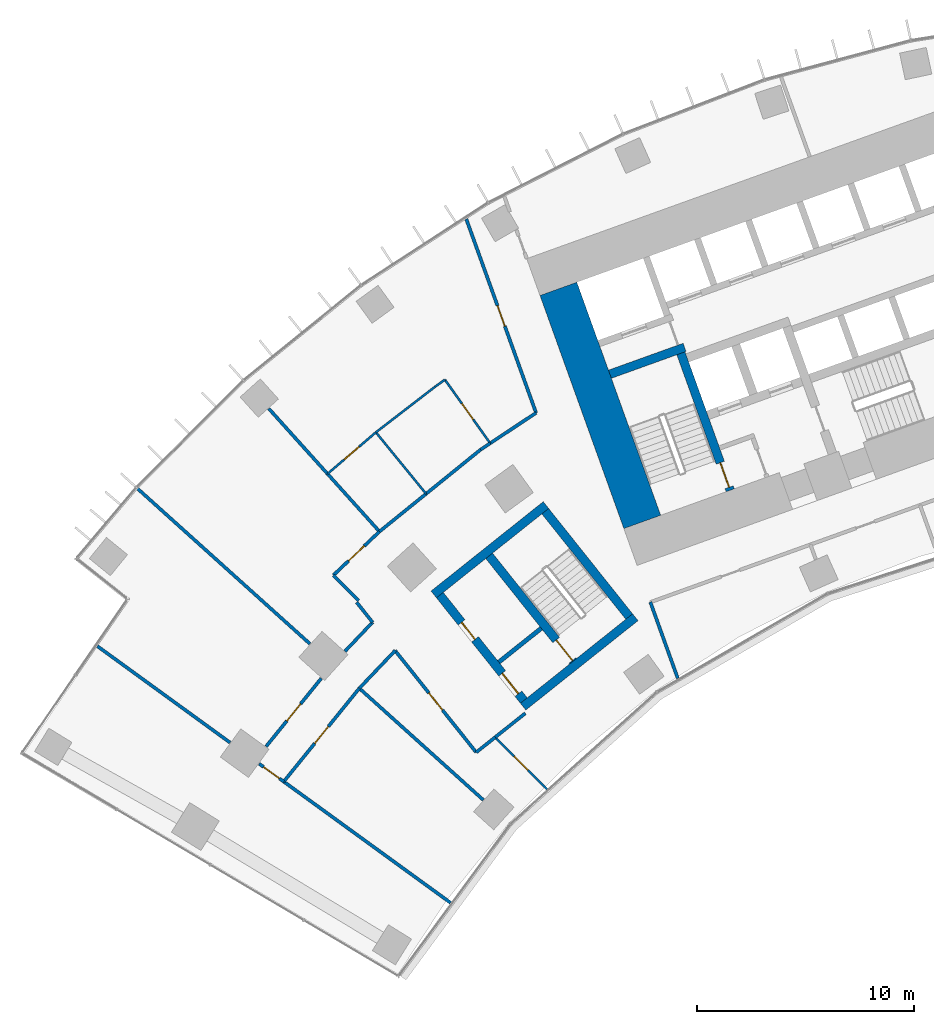
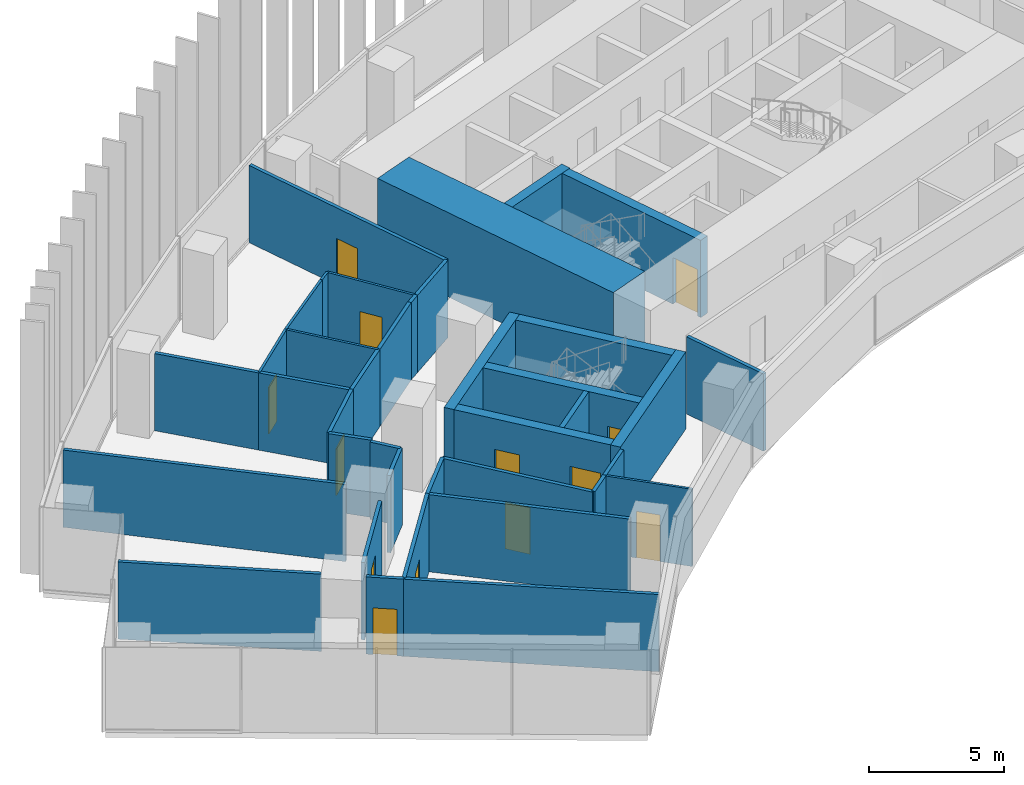
# One storey, part 17 of 24: 38 walls, 13 doors, 13 openings.
"""IFC4 building model written with IfcOpenShell, lengths in metres."""

import ifcopenshell
import ifcopenshell.guid

model = None  # the IFC model being written
_history = None  # IfcOwnerHistory: only IFC2X3 demands one
_inside = {}  # id of a spatial element -> (the spatial element, [elements in it])
_under = {}  # id of a project, library or spatial element -> (it, [spatial elements below it])
_declared = {}  # id of a project -> (the project, [libraries it declares])
_typed = {}  # id of a type object -> (the type object, [elements of that type])
_made_of = {}  # id of a material, layer set ... -> (it, [elements and type objects made of it])


def new_model(schema):
    """Start an empty IFC model of exactly this schema.

    Asked for "IFC4X3", IfcOpenShell would pick the latest addendum, in which some entities
    have other attributes; the version numbers below select the first issue.
    IFC2X3 requires an IfcOwnerHistory on every rooted entity: one is made here for all.
    """
    global model, _history
    if schema == "IFC4X3":
        model = ifcopenshell.file(schema_version=(4, 3, 0, 0))
    else:
        model = ifcopenshell.file(schema=schema)
    _inside.clear()
    _under.clear()
    _declared.clear()
    _typed.clear()
    _made_of.clear()
    _history = None
    if model.schema == "IFC2X3":
        org = make("IfcOrganization", Name="unknown")
        user = make(
            "IfcPersonAndOrganization",
            ThePerson=make("IfcPerson", FamilyName="unknown"),
            TheOrganization=org,
        )
        app = make(
            "IfcApplication",
            ApplicationDeveloper=org,
            Version="unknown",
            ApplicationFullName="unknown",
            ApplicationIdentifier="unknown",
        )
        _history = make(
            "IfcOwnerHistory",
            OwningUser=user,
            OwningApplication=app,
            ChangeAction="ADDED",
            CreationDate=0,
        )
    return model


def make(cls, **values):
    """One entity of the class cls with the attributes given. An attribute that is None is left unset."""
    return model.create_entity(
        cls, **{name: value for name, value in values.items() if value is not None}
    )


def rooted(cls, **values):
    """An entity with a GlobalId (a new one), such as an element, a storey or a relation."""
    return make(cls, GlobalId=ifcopenshell.guid.new(), OwnerHistory=_history, **values)


def si_unit(unit_type, name, prefix=None):
    """IfcSIUnit, for example si_unit("LENGTHUNIT", "METRE", prefix="MILLI")."""
    return make("IfcSIUnit", UnitType=unit_type, Prefix=prefix, Name=name)


def assignment(units):
    """IfcUnitAssignment: the units of a project."""
    return None if units is None else make("IfcUnitAssignment", Units=units)


def point(xyz):
    """IfcCartesianPoint."""
    return None if xyz is None else make("IfcCartesianPoint", Coordinates=xyz)


def direction(xyz):
    """IfcDirection."""
    return None if xyz is None else make("IfcDirection", DirectionRatios=xyz)


def frame(location, z_axis=None, x_axis=None):
    """IfcAxis2Placement3D, a coordinate frame: its origin and axes. An axis left out is left unset."""
    return make(
        "IfcAxis2Placement3D",
        Location=point(location),
        Axis=direction(z_axis),
        RefDirection=direction(x_axis),
    )


def frame_2d(location, x_axis=None):
    """IfcAxis2Placement2D, a coordinate frame in the plane: its origin and x axis."""
    return make(
        "IfcAxis2Placement2D", Location=point(location), RefDirection=direction(x_axis)
    )


def origin():
    """The frame at (0, 0, 0) with its axes left unset."""
    return frame((0.0, 0.0, 0.0))


def place(relative_to, where):
    """IfcLocalPlacement: puts the frame where relative to a parent placement (None: the world)."""
    return make(
        "IfcLocalPlacement", PlacementRelTo=relative_to, RelativePlacement=where
    )


def context(
    kind, dimensions, precision=None, world=None, true_north=None, identifier=None
):
    """IfcGeometricRepresentationContext, for example the 3D "Model" context."""
    return make(
        "IfcGeometricRepresentationContext",
        ContextIdentifier=identifier,
        ContextType=kind,
        CoordinateSpaceDimension=dimensions,
        Precision=precision,
        WorldCoordinateSystem=world,
        TrueNorth=true_north,
    )


def subcontext(parent, identifier, kind, view, scale=None):
    """IfcGeometricRepresentationSubContext, for example "Body" below "Model"."""
    return make(
        "IfcGeometricRepresentationSubContext",
        ContextIdentifier=identifier,
        ContextType=kind,
        ParentContext=parent,
        TargetScale=scale,
        TargetView=view,
    )


def project(units=None, contexts=None):
    """IfcProject with its units and contexts."""
    return rooted(
        "IfcProject",
        Name="project",
        RepresentationContexts=contexts,
        UnitsInContext=assignment(units),
    )


def spatial(cls, under=None, at=None, **own):
    """A site, building, storey or space (cls), placed at a placement, below another one or the project."""
    s = rooted(cls, ObjectPlacement=at, **own)
    if under is not None:
        _under.setdefault(under.id(), (under, []))[1].append(s)
    return s


def profile(cls, at=None, kind="AREA", **sizes):
    """A parametric profile (cls). Its sizes go by their IFC names, for example OverallWidth=200.0."""
    return make(cls, ProfileType=kind, Position=at, **sizes)


def rectangle(**sizes):
    """IfcRectangleProfileDef."""
    return profile("IfcRectangleProfileDef", **sizes)


def extrude(swept, where, along, depth):
    """IfcExtrudedAreaSolid: the profile swept, set in the frame where, extruded along a direction by depth."""
    return make(
        "IfcExtrudedAreaSolid",
        SweptArea=swept,
        Position=where,
        ExtrudedDirection=direction(along),
        Depth=depth,
    )


def shape(context_of_items, identifier, shape_type, items):
    """IfcShapeRepresentation: the items that make up one representation, for example the "Body"."""
    return make(
        "IfcShapeRepresentation",
        ContextOfItems=context_of_items,
        RepresentationIdentifier=identifier,
        RepresentationType=shape_type,
        Items=items,
    )


def material(Name=None, Category=None):
    """IfcMaterial."""
    return make("IfcMaterial", Name=Name, Category=Category)


def layer(
    of_material, thickness, ventilated=None, Name=None, Category=None, Priority=None
):
    """IfcMaterialLayer: one layer of a wall or slab, of a material (None: an air gap)."""
    return make(
        "IfcMaterialLayer",
        Material=of_material,
        LayerThickness=thickness,
        IsVentilated=ventilated,
        Name=Name,
        Category=Category,
        Priority=Priority,
    )


def layer_set(layers, Name=None):
    """IfcMaterialLayerSet."""
    return make("IfcMaterialLayerSet", MaterialLayers=layers, LayerSetName=Name)


def made_of(thing, what):
    """Note that an element or type object is made of a material, layer set ...; save() writes the relation."""
    if what is not None:
        _made_of.setdefault(what.id(), (what, []))[1].append(thing)
    return thing


def type_object(cls, material=None, **own):
    """A type object (cls), such as IfcWallType, which elements share."""
    return made_of(rooted(cls, **own), material)


def element(
    cls,
    number,
    at=None,
    inside=None,
    cuts=None,
    type_object=None,
    material=None,
    context=None,
    identifier="Body",
    shape_type=None,
    held_by="IfcProductDefinitionShape",
    body=None,
    shapes=None,
    **own,
):
    """One element of the class cls, such as IfcWall. Its Tag is "e" and its number.

    at: its placement. inside: the storey or other place that contains it. cuts: it is an
    opening in that element (IfcRelVoidsElement). A single representation is given by context,
    identifier, shape_type and body (its items); several are given by shapes. held_by: the class
    of the entity that holds the representations. save() writes the other relations.
    """
    e = rooted(cls, Tag="e%d" % number, ObjectPlacement=at, **own)
    if body is not None:
        shapes = [shape(context, identifier, shape_type, body)]
    if shapes is not None:
        e.Representation = make(held_by, Representations=shapes)
    if inside is not None:
        _inside.setdefault(inside.id(), (inside, []))[1].append(e)
    if cuts is not None:
        rooted(
            "IfcRelVoidsElement", RelatingBuildingElement=cuts, RelatedOpeningElement=e
        )
    if type_object is not None:
        _typed.setdefault(type_object.id(), (type_object, []))[1].append(e)
    return made_of(e, material)


def fill(opening, filler):
    """IfcRelFillsElement: the door or window that sits in an opening."""
    return rooted(
        "IfcRelFillsElement",
        RelatingOpeningElement=opening,
        RelatedBuildingElement=filler,
    )


def aggregate(whole, parts):
    """IfcRelAggregates: a whole, such as a stair, and the parts it consists of."""
    return rooted("IfcRelAggregates", RelatingObject=whole, RelatedObjects=parts)


def save(model, path):
    """Write the relations noted so far, then the file.

    IfcRelAggregates (storeys below a building ...), IfcRelContainedInSpatialStructure (elements
    in a storey), IfcRelDefinesByType, IfcRelAssociatesMaterial and IfcRelDeclares: one each for
    every whole, place, type object, material and project.
    """
    for whole, parts in _under.values():
        aggregate(whole, parts)
    for where, things in _inside.values():
        rooted(
            "IfcRelContainedInSpatialStructure",
            RelatedElements=things,
            RelatingStructure=where,
        )
    for kind, things in _typed.values():
        rooted("IfcRelDefinesByType", RelatedObjects=things, RelatingType=kind)
    for what, things in _made_of.values():
        rooted("IfcRelAssociatesMaterial", RelatedObjects=things, RelatingMaterial=what)
    for by, libraries in _declared.values():
        rooted("IfcRelDeclares", RelatingContext=by, RelatedDefinitions=libraries)
    model.write(path)


model = new_model("IFC4")

# Units and contexts
model_context = context("Model", 3, precision=1e-05, world=origin(), true_north=direction((0.0, 1.0)))
body_context = subcontext(model_context, "Body", "Model", "MODEL_VIEW")
ifc_project = project(units=[si_unit("LENGTHUNIT", "METRE"), si_unit("AREAUNIT", "SQUARE_METRE"), si_unit("VOLUMEUNIT", "CUBIC_METRE"), si_unit("PLANEANGLEUNIT", "RADIAN"), si_unit("MASSUNIT", "GRAM", prefix="KILO")], contexts=[model_context])

# Site, building, storey
site_placement = place(None, origin())
site = spatial("IfcSite", under=ifc_project, at=site_placement, CompositionType="ELEMENT")
building_placement = place(site_placement, origin())
building = spatial("IfcBuilding", under=site, at=building_placement, Name="Stone Belt Terrace Tower", CompositionType="ELEMENT")
storey_placement = place(building_placement, frame((0.0, 0.0, 41.39990234375)))
storey = spatial("IfcBuildingStorey", under=building, at=storey_placement, Name="L09", CompositionType="ELEMENT", Elevation=41.39990234375)

# Wall
ifc_material_1 = material(Name="Concrete B80", Category="concrete")
ifc_layer_1 = layer(ifc_material_1, 1.800048828125)
ifc_layer_set_1 = layer_set([ifc_layer_1], Name="Core wall 1800 B80")
wall_type_1 = type_object("IfcWallType", Name="Core wall 1800 B80", PredefinedType="SHEAR", material=ifc_layer_set_1)
wall_1_placement = place(storey_placement, frame((-26.197509765625, 42.96728515625, 0.0), z_axis=(0.0, 0.0, 1.0), x_axis=(-0.338625431531, 0.940921259788, 0.0)))
element("IfcWall", 1, at=wall_1_placement, inside=storey, type_object=wall_type_1, Name="Core A wall end_a L09", PredefinedType="SHEAR", context=body_context, shape_type="SweptSolid", body=[
    extrude(rectangle(XDim=11.400146484375, YDim=1.800048828125, at=frame_2d((5.7001953125, 0.0))), origin(), (0.0, 0.0, 1.0), 3.800048828125),
])

# Wall, opening, door
ifc_material_2 = material(Name="Gypsum board partition")
ifc_layer_2 = layer(ifc_material_2, 0.10009765625)
ifc_layer_set_2 = layer_set([ifc_layer_2], Name="PARTITION 100")
wall_type_2 = type_object("IfcWallType", Name="PARTITION 100", PredefinedType="PARTITIONING", material=ifc_layer_set_2)
wall_2_placement = place(storey_placement, frame((-32.968017578125, 33.06005859375, 0.0), z_axis=(0.0, 0.0, 1.0), x_axis=(0.706309715327, -0.707902949587, 0.0)))
wall_2 = element("IfcWall", 2, at=wall_2_placement, inside=storey, type_object=wall_type_2, Name="L09/wall/i051", PredefinedType="PARTITIONING", context=body_context, shape_type="SweptSolid", body=[
    extrude(rectangle(XDim=3.37109375, YDim=0.10009765625, at=frame_2d((1.685546875, 0.0))), origin(), (0.0, 0.0, 1.0), 3.47998046875),
])
opening_1_placement = place(wall_2_placement, frame((1.235595703125, 0.0, 0.0)))
opening_1 = element("IfcOpeningElement", 3, at=opening_1_placement, cuts=wall_2, Name="Opening D-A2-13", PredefinedType="OPENING", context=body_context, shape_type="SweptSolid", body=[
    extrude(rectangle(XDim=0.89990234375, YDim=2.10009765625, at=frame_2d((0.449951171875, 1.050048828125))), frame((0.0, 0.06005859375, 0.0), z_axis=(0.0, -1.0, 0.0), x_axis=(1.0, 0.0, 0.0)), (0.0, 0.0, 1.0), 0.1201171875),
])
ifc_material_3 = material(Name="Timber door leaf", Category="wood")
door_type_1 = type_object("IfcDoorType", Name="OFFICE DOOR 900 X 2100", OperationType="NOTDEFINED", PredefinedType="DOOR", material=ifc_material_3)
door_1_placement = place(opening_1_placement, origin())
door_1 = element("IfcDoor", 4, at=door_1_placement, inside=storey, type_object=door_type_1, Name="L09/door/i13", OperationType="SINGLE_SWING_RIGHT", OverallHeight=2.10009765625, OverallWidth=0.89990234375, PredefinedType="DOOR", context=body_context, shape_type="SweptSolid", body=[
    extrude(rectangle(XDim=0.89990234375, YDim=2.10009765625, at=frame_2d((0.449951171875, 1.050048828125))), frame((0.0, 0.02490234375, 0.0), z_axis=(0.0, -1.0, 0.0), x_axis=(1.0, 0.0, 0.0)), (0.0, 0.0, 1.0), 0.050048828125),
])
fill(opening_1, door_1)

wall_3_placement = place(storey_placement, frame((-38.4560546875, 47.091064453125, 0.0), z_axis=(0.0, 0.0, 1.0), x_axis=(-0.759033239133, -0.651051873426, 0.0)))
wall_3 = element("IfcWall", 5, at=wall_3_placement, inside=storey, type_object=wall_type_2, Name="L09/wall/i053", PredefinedType="PARTITIONING", context=body_context, shape_type="SweptSolid", body=[
    extrude(rectangle(XDim=2.932373046875, YDim=0.10009765625, at=frame_2d((1.46630859375, 0.0))), origin(), (0.0, 0.0, 1.0), 3.47998046875),
])
opening_2_placement = place(wall_3_placement, frame((1.01611328125, 0.0, 0.0)))
opening_2 = element("IfcOpeningElement", 6, at=opening_2_placement, cuts=wall_3, Name="Opening D-A2-16", PredefinedType="OPENING", context=body_context, shape_type="SweptSolid", body=[
    extrude(rectangle(XDim=0.89990234375, YDim=2.10009765625, at=frame_2d((0.449951171875, 1.050048828125))), frame((0.0, 0.06005859375, 0.0), z_axis=(0.0, -1.0, 0.0), x_axis=(1.0, 0.0, 0.0)), (0.0, 0.0, 1.0), 0.1201171875),
])
door_2_placement = place(opening_2_placement, origin())
door_2 = element("IfcDoor", 7, at=door_2_placement, inside=storey, type_object=door_type_1, Name="L09/door/i16", OperationType="SINGLE_SWING_RIGHT", OverallHeight=2.10009765625, OverallWidth=0.89990234375, PredefinedType="DOOR", context=body_context, shape_type="SweptSolid", body=[
    extrude(rectangle(XDim=0.89990234375, YDim=2.10009765625, at=frame_2d((0.449951171875, 1.050048828125))), frame((0.0, 0.02490234375, 0.0), z_axis=(0.0, -1.0, 0.0), x_axis=(1.0, 0.0, 0.0)), (0.0, 0.0, 1.0), 0.050048828125),
])
fill(opening_2, door_2)

wall_4_placement = place(storey_placement, frame((-33.196044921875, 46.587890625, 0.0), z_axis=(0.0, 0.0, 1.0), x_axis=(-0.580305775044, 0.814398678443, 0.0)))
wall_4 = element("IfcWall", 8, at=wall_4_placement, inside=storey, type_object=wall_type_2, Name="L09/wall/i054", PredefinedType="PARTITIONING", context=body_context, shape_type="SweptSolid", body=[
    extrude(rectangle(XDim=3.5927734375, YDim=0.10009765625, at=frame_2d((1.79638671875, 0.0))), origin(), (0.0, 0.0, 1.0), 3.47998046875),
])
opening_3_placement = place(wall_4_placement, frame((1.346435546875, 0.0, 0.0)))
opening_3 = element("IfcOpeningElement", 9, at=opening_3_placement, cuts=wall_4, Name="Opening D-A2-17", PredefinedType="OPENING", context=body_context, shape_type="SweptSolid", body=[
    extrude(rectangle(XDim=0.89990234375, YDim=2.10009765625, at=frame_2d((0.449951171875, 1.050048828125))), frame((0.0, 0.06005859375, 0.0), z_axis=(0.0, -1.0, 0.0), x_axis=(1.0, 0.0, 0.0)), (0.0, 0.0, 1.0), 0.1201171875),
])
door_3_placement = place(opening_3_placement, origin())
door_3 = element("IfcDoor", 10, at=door_3_placement, inside=storey, type_object=door_type_1, Name="L09/door/i17", OperationType="SINGLE_SWING_RIGHT", OverallHeight=2.10009765625, OverallWidth=0.89990234375, PredefinedType="DOOR", context=body_context, shape_type="SweptSolid", body=[
    extrude(rectangle(XDim=0.89990234375, YDim=2.10009765625, at=frame_2d((0.449951171875, 1.050048828125))), frame((0.0, 0.02490234375, 0.0), z_axis=(0.0, -1.0, 0.0), x_axis=(1.0, 0.0, 0.0)), (0.0, 0.0, 1.0), 0.050048828125),
])
fill(opening_3, door_3)

# Walls
wall_5_placement = place(storey_placement, frame((-35.281005859375, 49.513916015625, 0.0), z_axis=(0.0, 0.0, 1.0), x_axis=(-0.81217021328, -0.58342055557, 0.0)))
element("IfcWall", 11, at=wall_5_placement, inside=storey, type_object=wall_type_2, Name="L09/wall/i055", PredefinedType="PARTITIONING", context=body_context, shape_type="SweptSolid", body=[
    extrude(rectangle(XDim=0.560302734375, YDim=0.10009765625, at=frame_2d((0.2802734375, 0.0))), origin(), (0.0, 0.0, 1.0), 3.47998046875),
])
wall_6_placement = place(storey_placement, frame((-35.736083984375, 49.18701171875, 0.0), z_axis=(0.0, 0.0, 1.0), x_axis=(-0.792108307921, -0.610380560407, 0.0)))
element("IfcWall", 12, at=wall_6_placement, inside=storey, type_object=wall_type_2, Name="L09/wall/i056", PredefinedType="PARTITIONING", context=body_context, shape_type="SweptSolid", body=[
    extrude(rectangle(XDim=3.433837890625, YDim=0.10009765625, at=frame_2d((1.716796875, 0.0))), origin(), (0.0, 0.0, 1.0), 3.47998046875),
])
wall_7_placement = place(storey_placement, frame((-38.4560546875, 47.091064453125, 0.0), z_axis=(0.0, 0.0, 1.0), x_axis=(0.632604088354, -0.774475349767, 0.0)))
element("IfcWall", 13, at=wall_7_placement, inside=storey, type_object=wall_type_2, Name="L09/wall/i058", PredefinedType="PARTITIONING", context=body_context, shape_type="SweptSolid", body=[
    extrude(rectangle(XDim=3.651611328125, YDim=0.10009765625, at=frame_2d((1.82568359375, 0.0))), origin(), (0.0, 0.0, 1.0), 3.47998046875),
])
ifc_layer_3 = layer(ifc_material_2, 0.14990234375)
ifc_layer_set_3 = layer_set([ifc_layer_3], Name="PARTITION 150 EI 60")
wall_type_3 = type_object("IfcWallType", Name="PARTITION 150 EI 60", PredefinedType="PARTITIONING", material=ifc_layer_set_3)
wall_8_placement = place(storey_placement, frame((-25.826904296875, 39.281005859375, 0.0), z_axis=(0.0, 0.0, 1.0), x_axis=(0.338392582605, -0.941005026574, 0.0)))
element("IfcWall", 14, at=wall_8_placement, inside=storey, type_object=wall_type_3, Name="L09/wall/i001", PredefinedType="PARTITIONING", context=body_context, shape_type="SweptSolid", body=[
    extrude(rectangle(XDim=3.729248046875, YDim=0.14990234375, at=frame_2d((1.86474609375, 0.0))), origin(), (0.0, 0.0, 1.0), 3.47998046875),
])

# Wall, opening, door
wall_9_placement = place(storey_placement, frame((-31.0830078125, 47.98193359375, 0.0), z_axis=(0.0, 0.0, 1.0), x_axis=(-0.338806014878, 0.940856250594, 0.0)))
wall_9 = element("IfcWall", 15, at=wall_9_placement, inside=storey, type_object=wall_type_3, Name="L09/wall/i004", PredefinedType="PARTITIONING", context=body_context, shape_type="SweptSolid", body=[
    extrude(rectangle(XDim=9.489501953125, YDim=0.14990234375, at=frame_2d((4.74462890625, 0.0))), origin(), (0.0, 0.0, 1.0), 3.47998046875),
])
opening_4_placement = place(wall_9_placement, frame((4.24462890625, 0.0, 0.0)))
opening_4 = element("IfcOpeningElement", 16, at=opening_4_placement, cuts=wall_9, Name="Opening D-A2-15", PredefinedType="OPENING", context=body_context, shape_type="SweptSolid", body=[
    extrude(rectangle(XDim=1.0, YDim=2.10009765625, at=frame_2d((0.5, 1.050048828125))), frame((0.0, 0.0849609375, 0.0), z_axis=(0.0, -1.0, 0.0), x_axis=(1.0, 0.0, 0.0)), (0.0, 0.0, 1.0), 0.169921875),
])
ifc_material_4 = material(Name="Timber fire door leaf", Category="wood")
door_type_2 = type_object("IfcDoorType", Name="TENANCY ENTRANCE DOOR 1000 X 2100", OperationType="NOTDEFINED", PredefinedType="DOOR", material=ifc_material_4)
door_4_placement = place(opening_4_placement, origin())
door_4 = element("IfcDoor", 17, at=door_4_placement, inside=storey, type_object=door_type_2, Name="L09/door/i15", OperationType="SINGLE_SWING_RIGHT", OverallHeight=2.10009765625, OverallWidth=1.0, PredefinedType="DOOR", context=body_context, shape_type="SweptSolid", body=[
    extrude(rectangle(XDim=1.0, YDim=2.10009765625, at=frame_2d((0.5, 1.050048828125))), frame((0.0, 0.02490234375, 0.0), z_axis=(0.0, -1.0, 0.0), x_axis=(1.0, 0.0, 0.0)), (0.0, 0.0, 1.0), 0.050048828125),
])
fill(opening_4, door_4)

wall_10_placement = place(storey_placement, frame((-42.69091796875, 31.01611328125, 0.0), z_axis=(0.0, 0.0, 1.0), x_axis=(-0.809165251575, 0.587581139626, 0.0)))
wall_10 = element("IfcWall", 18, at=wall_10_placement, inside=storey, type_object=wall_type_3, Name="L09/wall/i034", PredefinedType="PARTITIONING", context=body_context, shape_type="SweptSolid", body=[
    extrude(rectangle(XDim=1.4013671875, YDim=0.14990234375, at=frame_2d((0.70068359375, 0.0))), origin(), (0.0, 0.0, 1.0), 3.47998046875),
])
opening_5_placement = place(wall_10_placement, frame((0.250732421875, 0.0, 0.0)))
opening_5 = element("IfcOpeningElement", 19, at=opening_5_placement, cuts=wall_10, Name="Opening D-A2-11", PredefinedType="OPENING", context=body_context, shape_type="SweptSolid", body=[
    extrude(rectangle(XDim=0.89990234375, YDim=2.10009765625, at=frame_2d((0.449951171875, 1.050048828125))), frame((0.0, 0.0849609375, 0.0), z_axis=(0.0, -1.0, 0.0), x_axis=(1.0, 0.0, 0.0)), (0.0, 0.0, 1.0), 0.169921875),
])
door_type_3 = type_object("IfcDoorType", Name="TENANCY ENTRANCE DOOR 900 X 2100", OperationType="NOTDEFINED", PredefinedType="DOOR", material=ifc_material_4)
door_5_placement = place(opening_5_placement, origin())
door_5 = element("IfcDoor", 20, at=door_5_placement, inside=storey, type_object=door_type_3, Name="L09/door/i11", OperationType="SINGLE_SWING_RIGHT", OverallHeight=2.10009765625, OverallWidth=0.89990234375, PredefinedType="DOOR", context=body_context, shape_type="SweptSolid", body=[
    extrude(rectangle(XDim=0.89990234375, YDim=2.10009765625, at=frame_2d((0.449951171875, 1.050048828125))), frame((0.0, 0.02490234375, 0.0), z_axis=(0.0, -1.0, 0.0), x_axis=(1.0, 0.0, 0.0)), (0.0, 0.0, 1.0), 0.050048828125),
])
fill(opening_5, door_5)

# Walls
wall_11_placement = place(storey_placement, frame((-42.700927734375, 31.02294921875, 0.0), z_axis=(0.0, 0.0, 1.0), x_axis=(0.809056214553, -0.587731266561, 0.0)))
element("IfcWall", 21, at=wall_11_placement, inside=storey, type_object=wall_type_3, Name="L09/wall/i035", PredefinedType="PARTITIONING", context=body_context, shape_type="SweptSolid", body=[
    extrude(rectangle(XDim=9.494384765625, YDim=0.14990234375, at=frame_2d((4.7470703125, 0.0))), origin(), (0.0, 0.0, 1.0), 3.47998046875),
])
wall_12_placement = place(storey_placement, frame((-51.27294921875, 37.251708984375, 0.0), z_axis=(0.0, 0.0, 1.0), x_axis=(0.808996210437, -0.587813857865, 0.0)))
element("IfcWall", 22, at=wall_12_placement, inside=storey, type_object=wall_type_3, Name="L09/wall/i036", PredefinedType="PARTITIONING", context=body_context, shape_type="SweptSolid", body=[
    extrude(rectangle(XDim=7.546630859375, YDim=0.14990234375, at=frame_2d((3.7734375, 0.0))), origin(), (0.0, 0.0, 1.0), 3.47998046875),
])
wall_13_placement = place(storey_placement, frame((-33.200927734375, 46.5849609375, 0.0), z_axis=(0.0, 0.0, 1.0), x_axis=(0.833483283963, 0.552544672723, 0.0)))
element("IfcWall", 23, at=wall_13_placement, inside=storey, type_object=wall_type_3, Name="L09/wall/i037", PredefinedType="PARTITIONING", context=body_context, shape_type="SweptSolid", body=[
    extrude(rectangle(XDim=2.53759765625, YDim=0.14990234375, at=frame_2d((1.268798828125, 0.0))), origin(), (0.0, 0.0, 1.0), 3.47998046875),
])
wall_14_placement = place(storey_placement, frame((-38.2900390625, 42.527099609375, 0.0), z_axis=(0.0, 0.0, 1.0), x_axis=(0.777177011699, 0.62928204526, 0.0)))
element("IfcWall", 24, at=wall_14_placement, inside=storey, type_object=wall_type_3, Name="L09/wall/i038", PredefinedType="PARTITIONING", context=body_context, shape_type="SweptSolid", body=[
    extrude(rectangle(XDim=2.76513671875, YDim=0.14990234375, at=frame_2d((1.382568359375, 0.0))), origin(), (0.0, 0.0, 1.0), 3.47998046875),
])
wall_15_placement = place(storey_placement, frame((-36.15087890625, 44.259033203125, 0.0), z_axis=(0.0, 0.0, 1.0), x_axis=(0.777093764274, 0.629384843737, 0.0)))
element("IfcWall", 25, at=wall_15_placement, inside=storey, type_object=wall_type_3, Name="L09/wall/i039", PredefinedType="PARTITIONING", context=body_context, shape_type="SweptSolid", body=[
    extrude(rectangle(XDim=3.236328125, YDim=0.14990234375, at=frame_2d((1.6181640625, 0.0))), origin(), (0.0, 0.0, 1.0), 3.47998046875),
])
wall_16_placement = place(storey_placement, frame((-33.635986328125, 46.2958984375, 0.0), z_axis=(0.0, 0.0, 1.0), x_axis=(0.833384164139, 0.552694160419, 0.0)))
element("IfcWall", 26, at=wall_16_placement, inside=storey, type_object=wall_type_3, Name="L09/wall/i040", PredefinedType="PARTITIONING", context=body_context, shape_type="SweptSolid", body=[
    extrude(rectangle(XDim=0.533935546875, YDim=0.14990234375, at=frame_2d((0.26708984375, 0.0))), origin(), (0.0, 0.0, 1.0), 3.47998046875),
])
wall_17_placement = place(storey_placement, frame((-39.25, 39.35107421875, 0.0), z_axis=(0.0, 0.0, 1.0), x_axis=(-0.706216032574, 0.707996409126, 0.0)))
element("IfcWall", 27, at=wall_17_placement, inside=storey, type_object=wall_type_3, Name="L09/wall/i041", PredefinedType="PARTITIONING", context=body_context, shape_type="SweptSolid", body=[
    extrude(rectangle(XDim=1.6455078125, YDim=0.14990234375, at=frame_2d((0.82275390625, 0.0))), origin(), (0.0, 0.0, 1.0), 3.47998046875),
])

# Wall, opening, door
wall_18_placement = place(storey_placement, frame((-40.412109375, 40.51611328125, 0.0), z_axis=(0.0, 0.0, 1.0), x_axis=(0.725899989111, 0.687800265926, 0.0)))
wall_18 = element("IfcWall", 28, at=wall_18_placement, inside=storey, type_object=wall_type_3, Name="L09/wall/i042", PredefinedType="PARTITIONING", context=body_context, shape_type="SweptSolid", body=[
    extrude(rectangle(XDim=2.922119140625, YDim=0.14990234375, at=frame_2d((1.4609375, 0.0))), origin(), (0.0, 0.0, 1.0), 3.47998046875),
])
opening_6_placement = place(wall_18_placement, frame((0.9609375, 0.0, 0.0)))
opening_6 = element("IfcOpeningElement", 29, at=opening_6_placement, cuts=wall_18, Name="Opening D-A2-18", PredefinedType="OPENING", context=body_context, shape_type="SweptSolid", body=[
    extrude(rectangle(XDim=1.0, YDim=2.10009765625, at=frame_2d((0.5, 1.050048828125))), frame((0.0, 0.0849609375, 0.0), z_axis=(0.0, -1.0, 0.0), x_axis=(1.0, 0.0, 0.0)), (0.0, 0.0, 1.0), 0.169921875),
])
door_6_placement = place(opening_6_placement, origin())
door_6 = element("IfcDoor", 30, at=door_6_placement, inside=storey, type_object=door_type_2, Name="L09/door/i18", OperationType="SINGLE_SWING_RIGHT", OverallHeight=2.10009765625, OverallWidth=1.0, PredefinedType="DOOR", context=body_context, shape_type="SweptSolid", body=[
    extrude(rectangle(XDim=1.0, YDim=2.10009765625, at=frame_2d((0.5, 1.050048828125))), frame((0.0, 0.02490234375, 0.0), z_axis=(0.0, -1.0, 0.0), x_axis=(1.0, 0.0, 0.0)), (0.0, 0.0, 1.0), 0.050048828125),
])
fill(opening_6, door_6)

# Wall
wall_19_placement = place(storey_placement, frame((-37.56689453125, 37.052001953125, 0.0), z_axis=(0.0, 0.0, 1.0), x_axis=(-0.688757486719, -0.724991809946, 0.0)))
element("IfcWall", 31, at=wall_19_placement, inside=storey, type_object=wall_type_3, Name="L09/wall/i043", PredefinedType="PARTITIONING", context=body_context, shape_type="SweptSolid", body=[
    extrude(rectangle(XDim=2.398681640625, YDim=0.14990234375, at=frame_2d((1.19921875, 0.0))), origin(), (0.0, 0.0, 1.0), 3.47998046875),
])

# Wall, opening, door
wall_20_placement = place(storey_placement, frame((-39.218994140625, 35.31298828125, 0.0), z_axis=(0.0, 0.0, 1.0), x_axis=(-0.629393988906, -0.777086357318, 0.0)))
wall_20 = element("IfcWall", 32, at=wall_20_placement, inside=storey, type_object=wall_type_3, Name="L09/wall/i044", PredefinedType="PARTITIONING", context=body_context, shape_type="SweptSolid", body=[
    extrude(rectangle(XDim=5.5244140625, YDim=0.14990234375, at=frame_2d((2.76220703125, 0.0))), origin(), (0.0, 0.0, 1.0), 3.47998046875),
])
opening_7_placement = place(wall_20_placement, frame((2.26220703125, 0.0, 0.0)))
opening_7 = element("IfcOpeningElement", 33, at=opening_7_placement, cuts=wall_20, Name="Opening D-A2-14", PredefinedType="OPENING", context=body_context, shape_type="SweptSolid", body=[
    extrude(rectangle(XDim=1.0, YDim=2.10009765625, at=frame_2d((0.5, 1.050048828125))), frame((0.0, 0.0849609375, 0.0), z_axis=(0.0, -1.0, 0.0), x_axis=(1.0, 0.0, 0.0)), (0.0, 0.0, 1.0), 0.169921875),
])
door_7_placement = place(opening_7_placement, origin())
door_7 = element("IfcDoor", 34, at=door_7_placement, inside=storey, type_object=door_type_2, Name="L09/door/i14", OperationType="SINGLE_SWING_RIGHT", OverallHeight=2.10009765625, OverallWidth=1.0, PredefinedType="DOOR", context=body_context, shape_type="SweptSolid", body=[
    extrude(rectangle(XDim=1.0, YDim=2.10009765625, at=frame_2d((0.5, 1.050048828125))), frame((0.0, 0.02490234375, 0.0), z_axis=(0.0, -1.0, 0.0), x_axis=(1.0, 0.0, 0.0)), (0.0, 0.0, 1.0), 0.050048828125),
])
fill(opening_7, door_7)

# Wall
wall_21_placement = place(storey_placement, frame((-39.873779296875, 37.019287109375, 0.0), z_axis=(0.0, 0.0, 1.0), x_axis=(0.688718115667, 0.72502921124, 0.0)))
element("IfcWall", 35, at=wall_21_placement, inside=storey, type_object=wall_type_3, Name="L09/wall/i045", PredefinedType="PARTITIONING", context=body_context, shape_type="SweptSolid", body=[
    extrude(rectangle(XDim=1.84228515625, YDim=0.14990234375, at=frame_2d((0.921142578125, 0.0))), origin(), (0.0, 0.0, 1.0), 3.47998046875),
])

# Wall, opening, door
wall_22_placement = place(storey_placement, frame((-43.5078125, 32.63623046875, 0.0), z_axis=(0.0, 0.0, 1.0), x_axis=(0.629347927528, 0.777123662049, 0.0)))
wall_22 = element("IfcWall", 36, at=wall_22_placement, inside=storey, type_object=wall_type_3, Name="L09/wall/i046", PredefinedType="PARTITIONING", context=body_context, shape_type="SweptSolid", body=[
    extrude(rectangle(XDim=4.034423828125, YDim=0.14990234375, at=frame_2d((2.01708984375, 0.0))), origin(), (0.0, 0.0, 1.0), 3.47998046875),
])
opening_8_placement = place(wall_22_placement, frame((1.517333984375, 0.0, 0.0)))
opening_8 = element("IfcOpeningElement", 37, at=opening_8_placement, cuts=wall_22, Name="Opening D-A2-19", PredefinedType="OPENING", context=body_context, shape_type="SweptSolid", body=[
    extrude(rectangle(XDim=1.0, YDim=2.10009765625, at=frame_2d((0.5, 1.050048828125))), frame((0.0, 0.0849609375, 0.0), z_axis=(0.0, -1.0, 0.0), x_axis=(1.0, 0.0, 0.0)), (0.0, 0.0, 1.0), 0.169921875),
])
door_8_placement = place(opening_8_placement, origin())
door_8 = element("IfcDoor", 38, at=door_8_placement, inside=storey, type_object=door_type_2, Name="L09/door/i19", OperationType="SINGLE_SWING_RIGHT", OverallHeight=2.10009765625, OverallWidth=1.0, PredefinedType="DOOR", context=body_context, shape_type="SweptSolid", body=[
    extrude(rectangle(XDim=1.0, YDim=2.10009765625, at=frame_2d((0.5, 1.050048828125))), frame((0.0, 0.02490234375, 0.0), z_axis=(0.0, -1.0, 0.0), x_axis=(1.0, 0.0, 0.0)), (0.0, 0.0, 1.0), 0.050048828125),
])
fill(opening_8, door_8)

# Wall
wall_23_placement = place(storey_placement, frame((-32.962890625, 33.06298828125, 0.0), z_axis=(0.0, 0.0, 1.0), x_axis=(-0.782502176307, -0.622647849169, 0.0)))
element("IfcWall", 39, at=wall_23_placement, inside=storey, type_object=wall_type_3, Name="L09/wall/i047", PredefinedType="PARTITIONING", context=body_context, shape_type="SweptSolid", body=[
    extrude(rectangle(XDim=1.12109375, YDim=0.14990234375, at=frame_2d((0.560546875, 0.0))), origin(), (0.0, 0.0, 1.0), 3.47998046875),
])

# Wall, opening, door
wall_24_placement = place(storey_placement, frame((-33.840087890625, 32.364990234375, 0.0), z_axis=(0.0, 0.0, 1.0), x_axis=(-0.623112520353, 0.782132205563, 0.0)))
wall_24 = element("IfcWall", 40, at=wall_24_placement, inside=storey, type_object=wall_type_3, Name="L09/wall/i048", PredefinedType="PARTITIONING", context=body_context, shape_type="SweptSolid", body=[
    extrude(rectangle(XDim=5.987548828125, YDim=0.14990234375, at=frame_2d((2.99365234375, 0.0))), origin(), (0.0, 0.0, 1.0), 3.47998046875),
])
opening_9_placement = place(wall_24_placement, frame((2.493896484375, 0.0, 0.0)))
opening_9 = element("IfcOpeningElement", 41, at=opening_9_placement, cuts=wall_24, Name="Opening D-A2-12", PredefinedType="OPENING", context=body_context, shape_type="SweptSolid", body=[
    extrude(rectangle(XDim=1.0, YDim=2.10009765625, at=frame_2d((0.5, 1.050048828125))), frame((0.0, 0.0849609375, 0.0), z_axis=(0.0, -1.0, 0.0), x_axis=(1.0, 0.0, 0.0)), (0.0, 0.0, 1.0), 0.169921875),
])
door_9_placement = place(opening_9_placement, origin())
door_9 = element("IfcDoor", 42, at=door_9_placement, inside=storey, type_object=door_type_2, Name="L09/door/i12", OperationType="SINGLE_SWING_RIGHT", OverallHeight=2.10009765625, OverallWidth=1.0, PredefinedType="DOOR", context=body_context, shape_type="SweptSolid", body=[
    extrude(rectangle(XDim=1.0, YDim=2.10009765625, at=frame_2d((0.5, 1.050048828125))), frame((0.0, 0.02490234375, 0.0), z_axis=(0.0, -1.0, 0.0), x_axis=(1.0, 0.0, 0.0)), (0.0, 0.0, 1.0), 0.050048828125),
])
fill(opening_9, door_9)

# Walls
wall_25_placement = place(storey_placement, frame((-31.5810546875, 34.1650390625, 0.0), z_axis=(0.0, 0.0, 1.0), x_axis=(-0.781845256464, -0.623472529422, 0.0)))
element("IfcWall", 43, at=wall_25_placement, inside=storey, type_object=wall_type_3, Name="L09/wall/i049", PredefinedType="PARTITIONING", context=body_context, shape_type="SweptSolid", body=[
    extrude(rectangle(XDim=1.779052734375, YDim=0.14990234375, at=frame_2d((0.8896484375, 0.0))), origin(), (0.0, 0.0, 1.0), 3.47998046875),
])
wall_26_placement = place(storey_placement, frame((-38.60888671875, 38.35009765625, 0.0), z_axis=(0.0, 0.0, 1.0), x_axis=(-0.623044650104, 0.782186271917, 0.0)))
element("IfcWall", 44, at=wall_26_placement, inside=storey, type_object=wall_type_3, Name="L09/wall/i050", PredefinedType="PARTITIONING", context=body_context, shape_type="SweptSolid", body=[
    extrude(rectangle(XDim=1.173583984375, YDim=0.14990234375, at=frame_2d((0.5869140625, 0.0))), origin(), (0.0, 0.0, 1.0), 3.47998046875),
])
wall_27_placement = place(storey_placement, frame((-33.515869140625, 30.177734375, 0.0), z_axis=(0.0, 0.0, 1.0), x_axis=(-0.743135942629, 0.669140471629, 0.0)))
element("IfcWall", 45, at=wall_27_placement, inside=storey, type_object=wall_type_3, Name="L09/wall/i052", PredefinedType="PARTITIONING", context=body_context, shape_type="SweptSolid", body=[
    extrude(rectangle(XDim=7.67431640625, YDim=0.14990234375, at=frame_2d((3.837158203125, 0.0))), origin(), (0.0, 0.0, 1.0), 3.47998046875),
])
wall_28_placement = place(storey_placement, frame((-40.681884765625, 45.181884765625, 0.0), z_axis=(0.0, 0.0, 1.0), x_axis=(-0.669081703844, 0.743188854586, 0.0)))
element("IfcWall", 46, at=wall_28_placement, inside=storey, type_object=wall_type_3, Name="L09/wall/i057", PredefinedType="PARTITIONING", context=body_context, shape_type="SweptSolid", body=[
    extrude(rectangle(XDim=4.03564453125, YDim=0.14990234375, at=frame_2d((2.017822265625, 0.0))), origin(), (0.0, 0.0, 1.0), 3.47998046875),
])
wall_29_placement = place(storey_placement, frame((-38.291015625, 42.52587890625, 0.0), z_axis=(0.0, 0.0, 1.0), x_axis=(-0.669036443351, 0.74322959943, 0.0)))
element("IfcWall", 47, at=wall_29_placement, inside=storey, type_object=wall_type_3, Name="L09/wall/i059", PredefinedType="PARTITIONING", context=body_context, shape_type="SweptSolid", body=[
    extrude(rectangle(XDim=3.573486328125, YDim=0.14990234375, at=frame_2d((1.78662109375, 0.0))), origin(), (0.0, 0.0, 1.0), 3.47998046875),
])
wall_30_placement = place(storey_placement, frame((-41.489990234375, 37.357421875, 0.0), z_axis=(0.0, 0.0, 1.0), x_axis=(-0.743107512169, 0.669172044662, 0.0)))
element("IfcWall", 48, at=wall_30_placement, inside=storey, type_object=wall_type_3, Name="L09/wall/i060", PredefinedType="PARTITIONING", context=body_context, shape_type="SweptSolid", body=[
    extrude(rectangle(XDim=10.6689453125, YDim=0.14990234375, at=frame_2d((5.33447265625, 0.0))), origin(), (0.0, 0.0, 1.0), 3.47998046875),
])
ifc_material_5 = material(Name="Concrete masonry block", Category="masonry")
ifc_layer_4 = layer(ifc_material_5, 0.199951171875)
ifc_layer_set_4 = layer_set([ifc_layer_4], Name="Rated lobby wall 200")
wall_type_4 = type_object("IfcWallType", Name="Rated lobby wall 200", PredefinedType="PARTITIONING", material=ifc_layer_set_4)
wall_31_placement = place(storey_placement, frame((-30.845703125, 38.074951171875, 0.0), z_axis=(0.0, 0.0, 1.0), x_axis=(-0.782115323833, -0.623133709749, 0.0)))
element("IfcWall", 49, at=wall_31_placement, inside=storey, type_object=wall_type_4, Name="Exit stair ST3A wall", PredefinedType="PARTITIONING", context=body_context, shape_type="SweptSolid", body=[
    extrude(rectangle(XDim=2.5, YDim=0.199951171875, at=frame_2d((1.25, 0.0))), origin(), (0.0, 0.0, 1.0), 3.47998046875),
])
ifc_layer_5 = layer(ifc_material_1, 0.39990234375)
ifc_layer_set_5 = layer_set([ifc_layer_5], Name="Stair enclosure wall 400")
wall_type_5 = type_object("IfcWallType", Name="Stair enclosure wall 400", PredefinedType="SHEAR", material=ifc_layer_set_5)
wall_32_placement = place(storey_placement, frame((-27.687255859375, 49.764404296875, 0.0), z_axis=(0.0, 0.0, 1.0), x_axis=(0.940918954884, 0.338631835981, 0.0)))
element("IfcWall", 50, at=wall_32_placement, inside=storey, type_object=wall_type_5, Name="Core A wall", PredefinedType="SHEAR", context=body_context, shape_type="SweptSolid", body=[
    extrude(rectangle(XDim=3.650146484375, YDim=0.39990234375, at=frame_2d((1.8251953125, 0.0))), origin(), (0.0, 0.0, 1.0), 3.47998046875),
])

# Wall, opening, door
wall_33_placement = place(storey_placement, frame((-22.151611328125, 44.42333984375, 0.0), z_axis=(0.0, 0.0, 1.0), x_axis=(-0.338625272931, 0.940921316866, 0.0)))
wall_33 = element("IfcWall", 51, at=wall_33_placement, inside=storey, type_object=wall_type_5, Name="Core A wall", PredefinedType="SHEAR", context=body_context, shape_type="SweptSolid", body=[
    extrude(rectangle(XDim=6.699951171875, YDim=0.39990234375, at=frame_2d((3.35009765625, 0.0))), origin(), (0.0, 0.0, 1.0), 3.47998046875),
])
opening_10_placement = place(wall_33_placement, frame((0.14990234375, 0.0, 0.0)))
opening_10 = element("IfcOpeningElement", 52, at=opening_10_placement, cuts=wall_33, Name="Opening L09-C03", PredefinedType="OPENING", context=body_context, shape_type="SweptSolid", body=[
    extrude(rectangle(XDim=1.199951171875, YDim=2.10009765625, at=frame_2d((0.60009765625, 1.050048828125))), frame((0.0, 0.2099609375, 0.0), z_axis=(0.0, -1.0, 0.0), x_axis=(1.0, 0.0, 0.0)), (0.0, 0.0, 1.0), 0.419921875),
])
ifc_material_6 = material(Name="Steel door leaf", Category="steel")
door_type_4 = type_object("IfcDoorType", Name="Stair door 1200", OperationType="SINGLE_SWING_LEFT", PredefinedType="DOOR", material=ifc_material_6)
door_10_placement = place(opening_10_placement, origin())
door_10 = element("IfcDoor", 53, at=door_10_placement, inside=storey, type_object=door_type_4, Name="Stair 1 door core A", OperationType="SINGLE_SWING_RIGHT", OverallHeight=2.10009765625, OverallWidth=1.199951171875, PredefinedType="DOOR", context=body_context, shape_type="SweptSolid", body=[
    extrude(rectangle(XDim=1.199951171875, YDim=2.10009765625, at=frame_2d((0.60009765625, 1.050048828125))), frame((0.0, 0.02490234375, 0.0), z_axis=(0.0, -1.0, 0.0), x_axis=(1.0, 0.0, 0.0)), (0.0, 0.0, 1.0), 0.050048828125),
])
fill(opening_10, door_10)

# Walls
for number, where, z_axis, x_axis, name in (
    (54, (-26.518798828125, 38.58154296875, 0.0), (0.0, 0.0, 1.0), (-0.782133914161, -0.623110375711, 0.0), "Exit stair ST3A wall"),
    (55, (-30.63134765625, 43.74365234375, 0.0), (0.0, 0.0, 1.0), (-0.782133914161, -0.623110375711, 0.0), "Exit stair ST3A wall"),
):
    element("IfcWall", number, at=place(storey_placement, frame(where, z_axis=z_axis, x_axis=x_axis)), inside=storey, type_object=wall_type_5, Name=name, PredefinedType="SHEAR", context=body_context, shape_type="SweptSolid", body=[
        extrude(rectangle(XDim=6.60009765625, YDim=0.39990234375, at=frame_2d((3.300048828125, 0.0))), origin(), (0.0, 0.0, 1.0), 3.47998046875),
    ])
wall_34_placement = place(storey_placement, frame((-26.7998046875, 38.61328125, 0.0), z_axis=(0.0, 0.0, 1.0), x_axis=(-0.623118653668, 0.782127319208, 0.0)))
element("IfcWall", 56, at=wall_34_placement, inside=storey, type_object=wall_type_5, Name="Exit stair ST3A wall", PredefinedType="SHEAR", context=body_context, shape_type="SweptSolid", body=[
    extrude(rectangle(XDim=6.199951171875, YDim=0.39990234375, at=frame_2d((3.10009765625, 0.0))), origin(), (0.0, 0.0, 1.0), 3.47998046875),
])

# Wall, openings, doors
wall_35_placement = place(storey_placement, frame((-31.64892578125, 34.75, 0.0), z_axis=(0.0, 0.0, 1.0), x_axis=(-0.623118653668, 0.782127319208, 0.0)))
wall_35 = element("IfcWall", 57, at=wall_35_placement, inside=storey, type_object=wall_type_5, Name="Exit stair ST3A wall", PredefinedType="SHEAR", context=body_context, shape_type="SweptSolid", body=[
    extrude(rectangle(XDim=6.199951171875, YDim=0.39990234375, at=frame_2d((3.10009765625, 0.0))), origin(), (0.0, 0.0, 1.0), 3.47998046875),
])
opening_11_placement = place(wall_35_placement, frame((0.39990234375, 0.0, 0.0)))
opening_11 = element("IfcOpeningElement", 58, at=opening_11_placement, cuts=wall_35, Name="Opening L09-C20", PredefinedType="OPENING", context=body_context, shape_type="SweptSolid", body=[
    extrude(rectangle(XDim=1.199951171875, YDim=2.10009765625, at=frame_2d((0.60009765625, 1.050048828125))), frame((0.0, 0.2099609375, 0.0), z_axis=(0.0, -1.0, 0.0), x_axis=(1.0, 0.0, 0.0)), (0.0, 0.0, 1.0), 0.419921875),
])
opening_12_placement = place(wall_35_placement, frame((3.60009765625, 0.0, 0.0)))
opening_12 = element("IfcOpeningElement", 59, at=opening_12_placement, cuts=wall_35, Name="Opening L09-C21", PredefinedType="OPENING", context=body_context, shape_type="SweptSolid", body=[
    extrude(rectangle(XDim=1.0, YDim=2.10009765625, at=frame_2d((0.5, 1.050048828125))), frame((0.0, 0.2099609375, 0.0), z_axis=(0.0, -1.0, 0.0), x_axis=(1.0, 0.0, 0.0)), (0.0, 0.0, 1.0), 0.419921875),
])
door_type_5 = type_object("IfcDoorType", Name="Core room door 1000", OperationType="SINGLE_SWING_LEFT", PredefinedType="DOOR", material=ifc_material_3)
door_11_placement = place(opening_12_placement, origin())
door_11 = element("IfcDoor", 60, at=door_11_placement, inside=storey, type_object=door_type_5, Name="Door to stair pressurisation plant room ST3A", OperationType="SINGLE_SWING_LEFT", OverallHeight=2.10009765625, OverallWidth=1.0, PredefinedType="DOOR", context=body_context, shape_type="SweptSolid", body=[
    extrude(rectangle(XDim=1.0, YDim=2.10009765625, at=frame_2d((0.5, 1.050048828125))), frame((0.0, 0.02490234375, 0.0), z_axis=(0.0, -1.0, 0.0), x_axis=(1.0, 0.0, 0.0)), (0.0, 0.0, 1.0), 0.050048828125),
])
fill(opening_12, door_11)
door_type_6 = type_object("IfcDoorType", Name="Stair airlock door 1200", OperationType="SINGLE_SWING_LEFT", PredefinedType="DOOR", material=ifc_material_6)
door_12_placement = place(opening_11_placement, origin())
door_12 = element("IfcDoor", 61, at=door_12_placement, inside=storey, type_object=door_type_6, Name="Stair airlock door ST3A", OperationType="SINGLE_SWING_LEFT", OverallHeight=2.10009765625, OverallWidth=1.199951171875, PredefinedType="DOOR", context=body_context, shape_type="SweptSolid", body=[
    extrude(rectangle(XDim=1.199951171875, YDim=2.10009765625, at=frame_2d((0.60009765625, 1.050048828125))), frame((0.0, 0.02490234375, 0.0), z_axis=(0.0, -1.0, 0.0), x_axis=(1.0, 0.0, 0.0)), (0.0, 0.0, 1.0), 0.050048828125),
])
fill(opening_11, door_12)

# Wall, opening, door
wall_36_placement = place(storey_placement, frame((-29.380859375, 36.556884765625, 0.0), z_axis=(0.0, 0.0, 1.0), x_axis=(-0.623099462847, 0.782142608097, 0.0)))
wall_36 = element("IfcWall", 62, at=wall_36_placement, inside=storey, type_object=wall_type_5, Name="Exit stair ST3A wall", PredefinedType="SHEAR", context=body_context, shape_type="SweptSolid", body=[
    extrude(rectangle(XDim=6.2001953125, YDim=0.39990234375, at=frame_2d((3.10009765625, 0.0))), origin(), (0.0, 0.0, 1.0), 3.47998046875),
])
opening_13_placement = place(wall_36_placement, frame((0.050048828125, 0.0, 0.0)))
opening_13 = element("IfcOpeningElement", 63, at=opening_13_placement, cuts=wall_36, Name="Opening L09-C19", PredefinedType="OPENING", context=body_context, shape_type="SweptSolid", body=[
    extrude(rectangle(XDim=1.199951171875, YDim=2.10009765625, at=frame_2d((0.60009765625, 1.050048828125))), frame((0.0, 0.2099609375, 0.0), z_axis=(0.0, -1.0, 0.0), x_axis=(1.0, 0.0, 0.0)), (0.0, 0.0, 1.0), 0.419921875),
])
door_13_placement = place(opening_13_placement, origin())
door_13 = element("IfcDoor", 64, at=door_13_placement, inside=storey, type_object=door_type_4, Name="Stair door ST3A", OperationType="SINGLE_SWING_RIGHT", OverallHeight=2.10009765625, OverallWidth=1.199951171875, PredefinedType="DOOR", context=body_context, shape_type="SweptSolid", body=[
    extrude(rectangle(XDim=1.199951171875, YDim=2.10009765625, at=frame_2d((0.60009765625, 1.050048828125))), frame((0.0, 0.02490234375, 0.0), z_axis=(0.0, -1.0, 0.0), x_axis=(1.0, 0.0, 0.0)), (0.0, 0.0, 1.0), 0.050048828125),
])
fill(opening_13, door_13)

save(model, "model.ifc")
